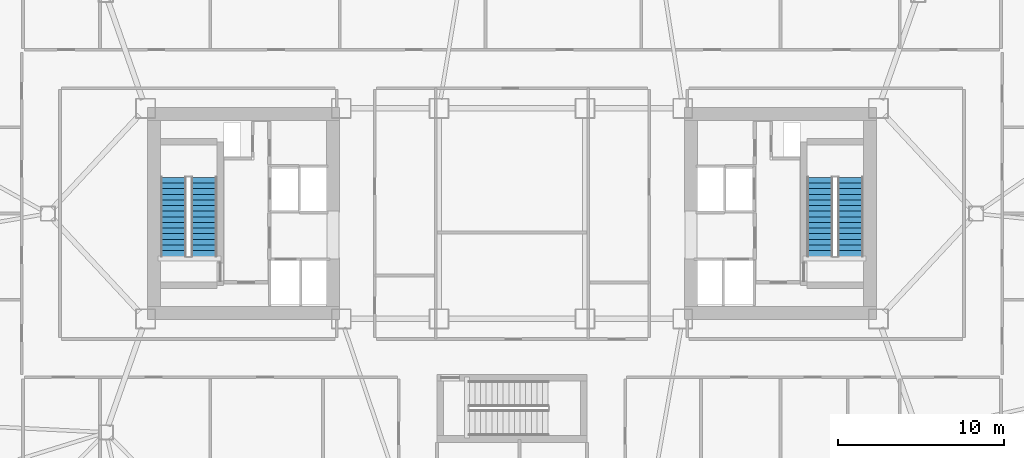
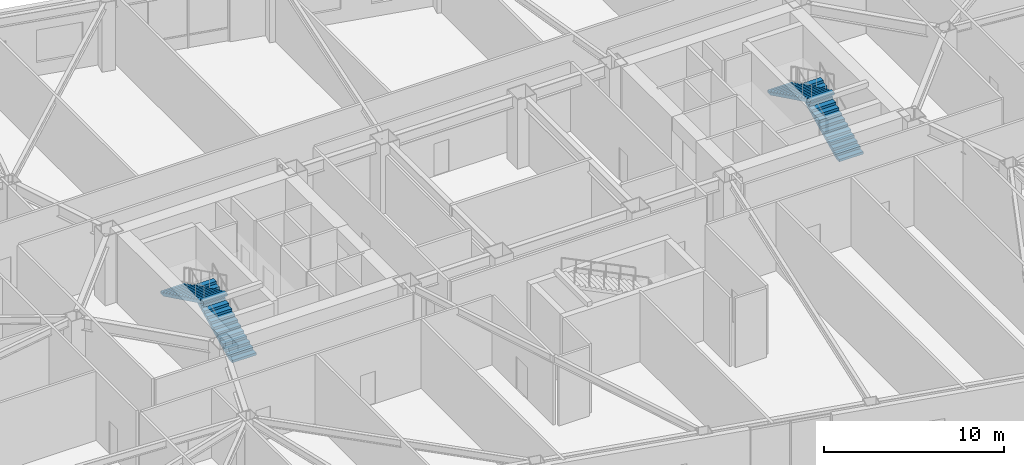
# One storey, part 14 of 20: 4 stair flights, 2 elements without a shape of their own.
"""IFC4 building model written with IfcOpenShell, lengths in metres."""

from ifc_helpers import new_model, si_unit, direction, frame, origin, place, context, subcontext, project, spatial, polyline, outline, extrude, material, type_object, element, aggregate, save


model = new_model("IFC4")

# Units and contexts
model_context = context("Model", 3, precision=1e-05, world=origin(), true_north=direction((0.0, 1.0)))
body_context = subcontext(model_context, "Body", "Model", "MODEL_VIEW")
ifc_project = project(units=[si_unit("LENGTHUNIT", "METRE"), si_unit("AREAUNIT", "SQUARE_METRE"), si_unit("VOLUMEUNIT", "CUBIC_METRE"), si_unit("PLANEANGLEUNIT", "RADIAN"), si_unit("MASSUNIT", "GRAM", prefix="KILO")], contexts=[model_context])

# Site, building, storey
site_placement = place(None, origin())
site = spatial("IfcSite", under=ifc_project, at=site_placement, CompositionType="ELEMENT")
building_placement = place(site_placement, origin())
building = spatial("IfcBuilding", under=site, at=building_placement, Name="Tavrogorsk Clinical Tower", CompositionType="ELEMENT")
storey_placement = place(building_placement, frame((0.0, 0.0, 23.39990234375)))
storey = spatial("IfcBuildingStorey", under=building, at=storey_placement, Name="L04", CompositionType="ELEMENT", Elevation=23.39990234375)

# Stair, stair flights
ifc_material_1 = material(Name="Concrete B60", Category="concrete")
stair_type = type_object("IfcStairType", Name="CoreStairAssembly", PredefinedType="HALF_TURN_STAIR", material=ifc_material_1)
stair_1_placement = place(storey_placement, origin())
stair_1 = element("IfcStair", 1, at=stair_1_placement, inside=storey, type_object=stair_type, Name="L04 ST-W", PredefinedType="HALF_TURN_STAIR")
ifc_material_2 = material(Name="Concrete B60", Category="concrete")
stair_flight_type = type_object("IfcStairFlightType", Name="CoreStairFlight", PredefinedType="STRAIGHT", material=ifc_material_2)
stair_flight_1_placement = place(storey_placement, frame((-18.574951171875, -2.574951171875, 0.0), z_axis=(0.0, 0.0, 1.0), x_axis=(0.0, 1.0, 0.0)))
stair_flight_1 = element("IfcStairFlight", 2, at=stair_flight_1_placement, type_object=stair_flight_type, Name="ST-W flight 1", NumberOfRisers=15, NumberOfTreads=14, PredefinedType="STRAIGHT", RiserHeight=0.166666667, TreadLength=0.34, context=body_context, shape_type="SweptSolid", body=[
    extrude(outline(polyline([(0.0, 0.0), (0.0, 0.166748046875), (0.340087890625, 0.166748046875), (0.340087890625, 0.333251953125), (0.679931640625, 0.333251953125), (0.679931640625, 0.5), (1.02001953125, 0.5), (1.02001953125, 0.666748046875), (1.360107421875, 0.666748046875), (1.360107421875, 0.833251953125), (1.699951171875, 0.833251953125), (1.699951171875, 1.0), (2.0400390625, 1.0), (2.0400390625, 1.166748046875), (2.3798828125, 1.166748046875), (2.3798828125, 1.333251953125), (2.719970703125, 1.333251953125), (2.719970703125, 1.5), (3.06005859375, 1.5), (3.06005859375, 1.666748046875), (3.39990234375, 1.666748046875), (3.39990234375, 1.833251953125), (3.739990234375, 1.833251953125), (3.739990234375, 2.0), (4.080078125, 2.0), (4.080078125, 2.166748046875), (4.419921875, 2.166748046875), (4.419921875, 2.333251953125), (4.760009765625, 2.333251953125), (4.760009765625, 2.5), (4.760009765625, 2.16650390625), (0.340576171875, 0.0), (0.0, 0.0)])), frame((0.0, 0.77490234375, 0.0), z_axis=(0.0, -1.0, 0.0), x_axis=(1.0, 0.0, 0.0)), (0.0, 0.0, 1.0), 1.550048828125),
])
stair_flight_2_placement = place(storey_placement, frame((-20.425048828125, 2.18505859375, 2.5), z_axis=(0.0, 0.0, 1.0), x_axis=(0.0, -1.0, 0.0)))
stair_flight_2 = element("IfcStairFlight", 3, at=stair_flight_2_placement, type_object=stair_flight_type, Name="ST-W flight 2", NumberOfRisers=15, NumberOfTreads=14, PredefinedType="STRAIGHT", RiserHeight=0.166666667, TreadLength=0.34, context=body_context, shape_type="SweptSolid", body=[
    extrude(outline(polyline([(0.0, 0.0), (0.0, 0.166748046875), (0.340087890625, 0.166748046875), (0.340087890625, 0.333251953125), (0.679931640625, 0.333251953125), (0.679931640625, 0.5), (1.02001953125, 0.5), (1.02001953125, 0.666748046875), (1.360107421875, 0.666748046875), (1.360107421875, 0.833251953125), (1.699951171875, 0.833251953125), (1.699951171875, 1.0), (2.0400390625, 1.0), (2.0400390625, 1.166748046875), (2.3798828125, 1.166748046875), (2.3798828125, 1.333251953125), (2.719970703125, 1.333251953125), (2.719970703125, 1.5), (3.06005859375, 1.5), (3.06005859375, 1.666748046875), (3.39990234375, 1.666748046875), (3.39990234375, 1.833251953125), (3.739990234375, 1.833251953125), (3.739990234375, 2.0), (4.080078125, 2.0), (4.080078125, 2.166748046875), (4.419921875, 2.166748046875), (4.419921875, 2.333251953125), (4.760009765625, 2.333251953125), (4.760009765625, 2.5), (4.760009765625, 2.16650390625), (0.340576171875, 0.0), (0.0, 0.0)])), frame((0.0, 0.77490234375, 0.0), z_axis=(0.0, -1.0, 0.0), x_axis=(1.0, 0.0, 0.0)), (0.0, 0.0, 1.0), 1.550048828125),
])
aggregate(stair_1, [stair_flight_1, stair_flight_2])

stair_2_placement = place(storey_placement, origin())
stair_2 = element("IfcStair", 4, at=stair_2_placement, inside=storey, type_object=stair_type, Name="L04 ST-E", PredefinedType="HALF_TURN_STAIR")
stair_flight_3_placement = place(storey_placement, frame((20.425048828125, -2.574951171875, 0.0), z_axis=(0.0, 0.0, 1.0), x_axis=(0.0, 1.0, 0.0)))
stair_flight_3 = element("IfcStairFlight", 5, at=stair_flight_3_placement, type_object=stair_flight_type, Name="ST-E flight 1", NumberOfRisers=15, NumberOfTreads=14, PredefinedType="STRAIGHT", RiserHeight=0.166666667, TreadLength=0.34, context=body_context, shape_type="SweptSolid", body=[
    extrude(outline(polyline([(0.0, 0.0), (0.0, 0.166748046875), (0.340087890625, 0.166748046875), (0.340087890625, 0.333251953125), (0.679931640625, 0.333251953125), (0.679931640625, 0.5), (1.02001953125, 0.5), (1.02001953125, 0.666748046875), (1.360107421875, 0.666748046875), (1.360107421875, 0.833251953125), (1.699951171875, 0.833251953125), (1.699951171875, 1.0), (2.0400390625, 1.0), (2.0400390625, 1.166748046875), (2.3798828125, 1.166748046875), (2.3798828125, 1.333251953125), (2.719970703125, 1.333251953125), (2.719970703125, 1.5), (3.06005859375, 1.5), (3.06005859375, 1.666748046875), (3.39990234375, 1.666748046875), (3.39990234375, 1.833251953125), (3.739990234375, 1.833251953125), (3.739990234375, 2.0), (4.080078125, 2.0), (4.080078125, 2.166748046875), (4.419921875, 2.166748046875), (4.419921875, 2.333251953125), (4.760009765625, 2.333251953125), (4.760009765625, 2.5), (4.760009765625, 2.16650390625), (0.340576171875, 0.0), (0.0, 0.0)])), frame((0.0, 0.77490234375, 0.0), z_axis=(0.0, -1.0, 0.0), x_axis=(1.0, 0.0, 0.0)), (0.0, 0.0, 1.0), 1.550048828125),
])
stair_flight_4_placement = place(storey_placement, frame((18.574951171875, 2.18505859375, 2.5), z_axis=(0.0, 0.0, 1.0), x_axis=(0.0, -1.0, 0.0)))
stair_flight_4 = element("IfcStairFlight", 6, at=stair_flight_4_placement, type_object=stair_flight_type, Name="ST-E flight 2", NumberOfRisers=15, NumberOfTreads=14, PredefinedType="STRAIGHT", RiserHeight=0.166666667, TreadLength=0.34, context=body_context, shape_type="SweptSolid", body=[
    extrude(outline(polyline([(0.0, 0.0), (0.0, 0.166748046875), (0.340087890625, 0.166748046875), (0.340087890625, 0.333251953125), (0.679931640625, 0.333251953125), (0.679931640625, 0.5), (1.02001953125, 0.5), (1.02001953125, 0.666748046875), (1.360107421875, 0.666748046875), (1.360107421875, 0.833251953125), (1.699951171875, 0.833251953125), (1.699951171875, 1.0), (2.0400390625, 1.0), (2.0400390625, 1.166748046875), (2.3798828125, 1.166748046875), (2.3798828125, 1.333251953125), (2.719970703125, 1.333251953125), (2.719970703125, 1.5), (3.06005859375, 1.5), (3.06005859375, 1.666748046875), (3.39990234375, 1.666748046875), (3.39990234375, 1.833251953125), (3.739990234375, 1.833251953125), (3.739990234375, 2.0), (4.080078125, 2.0), (4.080078125, 2.166748046875), (4.419921875, 2.166748046875), (4.419921875, 2.333251953125), (4.760009765625, 2.333251953125), (4.760009765625, 2.5), (4.760009765625, 2.16650390625), (0.340576171875, 0.0), (0.0, 0.0)])), frame((0.0, 0.77490234375, 0.0), z_axis=(0.0, -1.0, 0.0), x_axis=(1.0, 0.0, 0.0)), (0.0, 0.0, 1.0), 1.550048828125),
])
aggregate(stair_2, [stair_flight_3, stair_flight_4])

save(model, "model.ifc")
